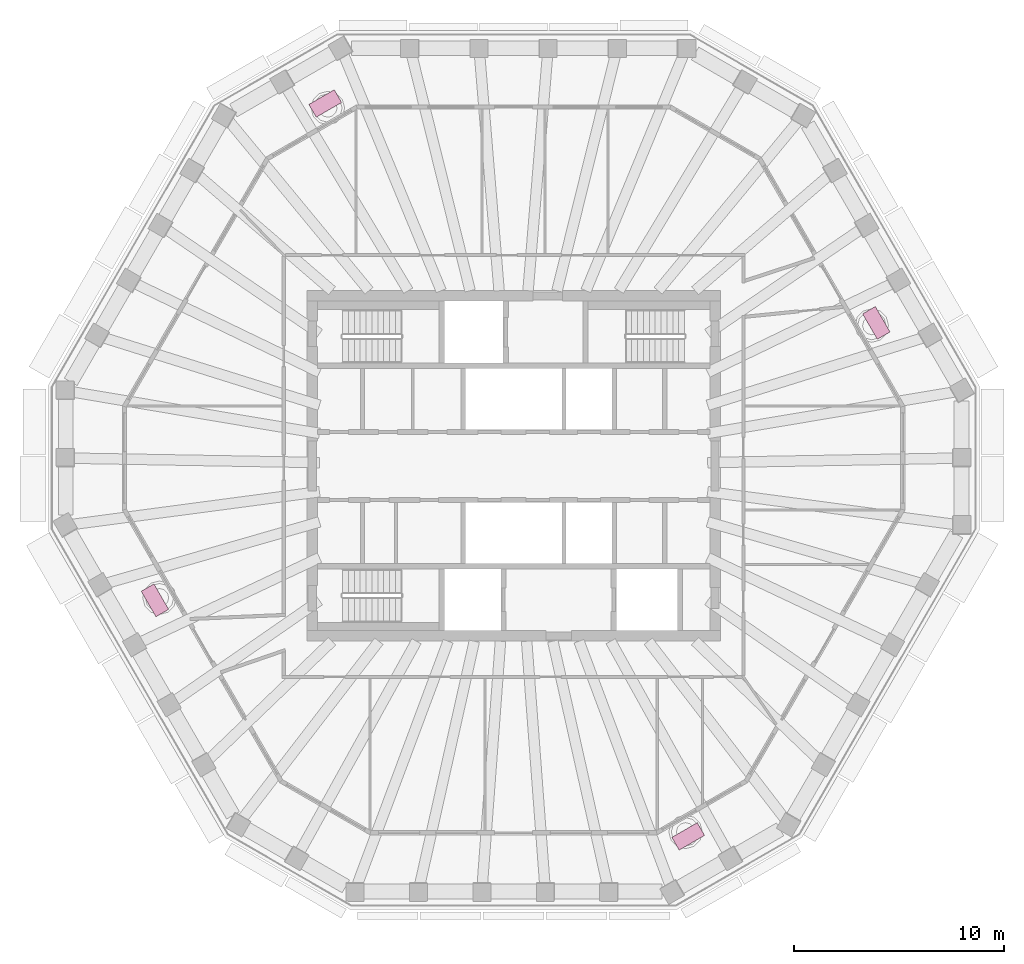
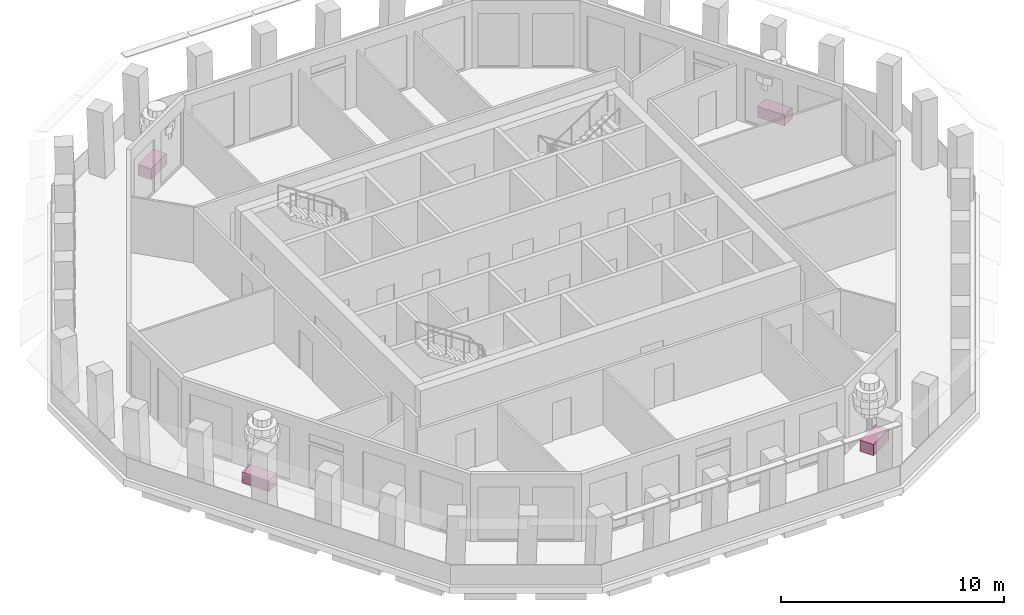
# One storey, part 10 of 11: 4 furniture elements.
"""IFC4 building model written with IfcOpenShell, lengths in metres."""

from ifc_helpers import new_model, si_unit, direction, frame, origin, origin_2d, place, context, subcontext, project, spatial, rectangle, extrude, material, type_object, element, save


model = new_model("IFC4")

# Units and contexts
model_context = context("Model", 3, precision=1e-05, world=origin(), true_north=direction((0.0, 1.0)))
body_context = subcontext(model_context, "Body", "Model", "MODEL_VIEW")
ifc_project = project(units=[si_unit("LENGTHUNIT", "METRE"), si_unit("AREAUNIT", "SQUARE_METRE"), si_unit("VOLUMEUNIT", "CUBIC_METRE"), si_unit("PLANEANGLEUNIT", "RADIAN"), si_unit("MASSUNIT", "GRAM", prefix="KILO")], contexts=[model_context])

# Site, building, storey
site_placement = place(None, origin())
site = spatial("IfcSite", under=ifc_project, at=site_placement, CompositionType="ELEMENT")
building_placement = place(site_placement, origin())
building = spatial("IfcBuilding", under=site, at=building_placement, Name="Frailejon Research Tower", CompositionType="ELEMENT")
storey_placement = place(building_placement, frame((0.0, 0.0, 320.60009765625)))
storey = spatial("IfcBuildingStorey", under=building, at=storey_placement, Name="L71", CompositionType="ELEMENT", Elevation=320.60009765625)

# Furniture
ifc_material = material(Name="Precast concrete C30/37 planter, terracotta", Category="masonry")
furniture_type = type_object("IfcFurnitureType", Name="Loggia planter 1400x700", AssemblyPlace="NOTDEFINED", PredefinedType="USERDEFINED", material=ifc_material)
for number, where, z_axis, x_axis, name in (
    (1, (17.2841796875, 6.81689453125, -0.000244140625), (0.0, 0.0, 1.0), (-0.5, 0.866025403784, 0.0), "Planter L71"),
    (2, (-8.97412109375, 17.272216796875, -0.000244140625), (0.0, 0.0, 1.0), (-0.866025403784, -0.5, 0.0), "Planter L71"),
    (3, (-17.08837890625, -6.402099609375, -0.000244140625), (0.0, 0.0, 1.0), (0.5, -0.866025403784, 0.0), "Planter L71"),
    (4, (8.321044921875, -17.6494140625, -0.000244140625), (0.0, 0.0, 1.0), (0.866025403784, 0.5, 0.0), "Planter L71"),
):
    element("IfcFurniture", number, at=place(storey_placement, frame(where, z_axis=z_axis, x_axis=x_axis)), inside=storey, type_object=furniture_type, Name=name, ObjectType="PLANTER", PredefinedType="USERDEFINED", context=body_context, shape_type="SweptSolid", body=[
        extrude(rectangle(XDim=1.39990234375, YDim=0.699951171875, at=origin_2d()), origin(), (0.0, 0.0, 1.0), 0.60009765625),
    ])

save(model, "model.ifc")
